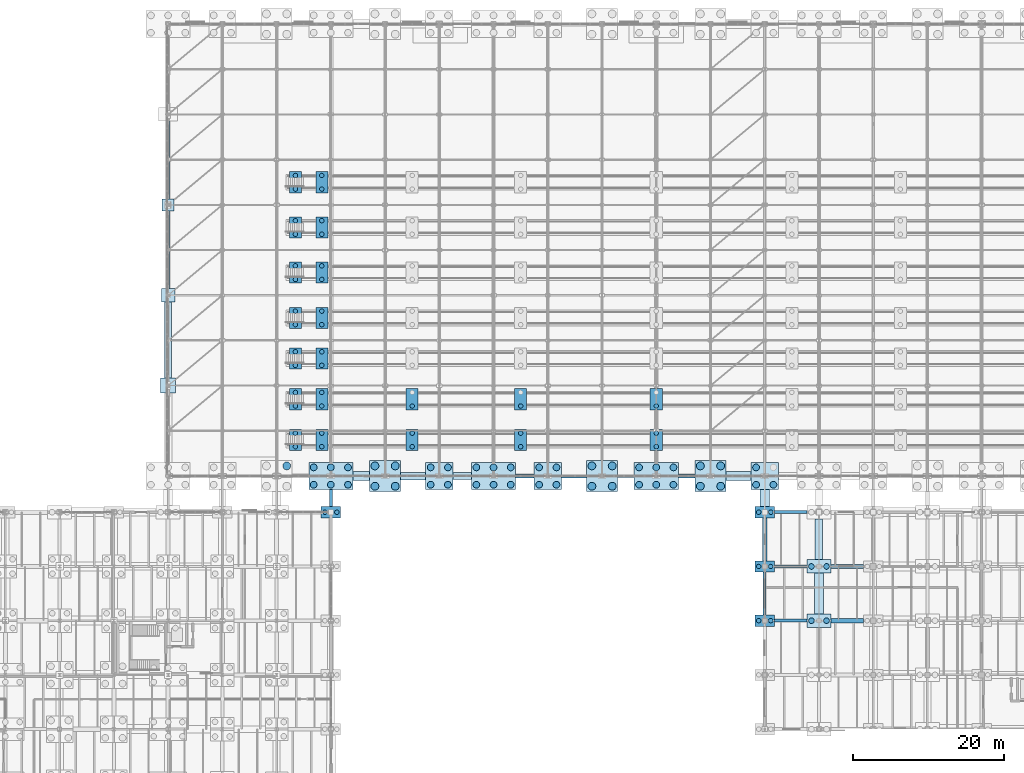
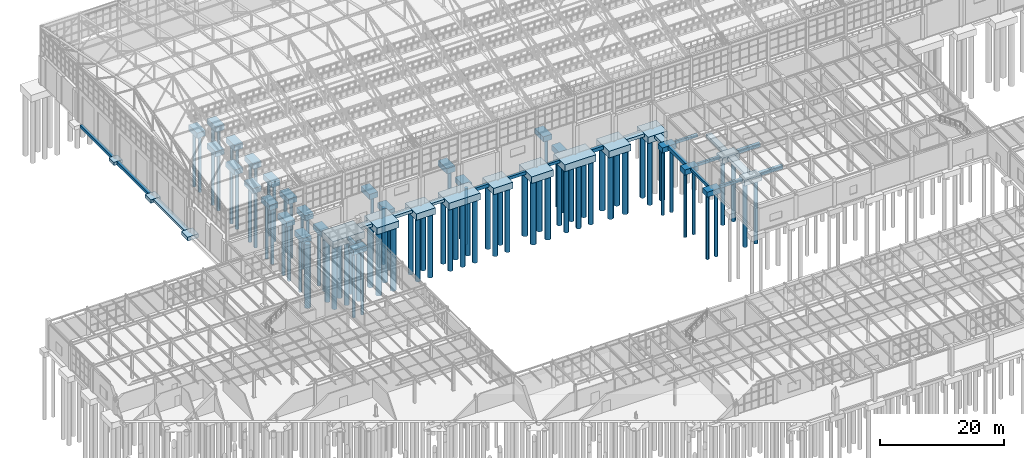
# One storey, part 8 of 293: 91 piles, 60 footings.
"""IFC4 building model written with IfcOpenShell, lengths in metres."""

from ifc_helpers import new_model, si_unit, direction, frame, origin, origin_2d, place, context, subcontext, project, spatial, rectangle, circle, extrude, material, material_profile, profile_set, type_object, element, save


model = new_model("IFC4")

# Units and contexts
model_context = context("Model", 3, precision=1e-05, world=origin(), true_north=direction((0.0, 1.0)))
body_context = subcontext(model_context, "Body", "Model", "MODEL_VIEW")
ifc_project = project(units=[si_unit("LENGTHUNIT", "METRE"), si_unit("AREAUNIT", "SQUARE_METRE"), si_unit("VOLUMEUNIT", "CUBIC_METRE"), si_unit("PLANEANGLEUNIT", "RADIAN"), si_unit("MASSUNIT", "GRAM", prefix="KILO")], contexts=[model_context])

# Site, building, storey
site_placement = place(None, origin())
site = spatial("IfcSite", under=ifc_project, at=site_placement, CompositionType="ELEMENT")
building_placement = place(site_placement, origin())
building = spatial("IfcBuilding", under=site, at=building_placement, Name="Kemerveld Promenade Tramway Depot", CompositionType="ELEMENT")
storey_placement = place(building_placement, origin())
storey = spatial("IfcBuildingStorey", under=building, at=storey_placement, Name="L00", CompositionType="ELEMENT", Elevation=0.0)

# Footings
ifc_material = material(Name="Concrete C35/45", Category="concrete")
footing_type_1 = type_object("IfcFootingType", Name="FT-GB01", PredefinedType="FOOTING_BEAM", material=ifc_material)
footing_1_placement = place(storey_placement, frame((83.362548828125, 84.0, -0.949951171875), z_axis=(0.0, 0.0, 1.0), x_axis=(1.0, 0.0, 0.0)))
element("IfcFooting", 1, at=footing_1_placement, inside=storey, type_object=footing_type_1, Name="GBX-12-13-N", PredefinedType="FOOTING_BEAM", context=body_context, shape_type="SweptSolid", body=[
    extrude(rectangle(XDim=2.47509765625, YDim=0.5, at=origin_2d()), origin(), (0.0, 0.0, 1.0), 0.64990234375),
])
footing_2_placement = place(storey_placement, frame((36.0, 114.050048828125, -0.949951171875), z_axis=(0.0, 0.0, 1.0), x_axis=(0.0, 1.0, 0.0)))
element("IfcFooting", 2, at=footing_2_placement, inside=storey, type_object=footing_type_1, Name="GBY-06-Q-R", PredefinedType="FOOTING_BEAM", context=body_context, shape_type="SweptSolid", body=[
    extrude(rectangle(XDim=10.300048828125, YDim=0.5, at=origin_2d()), origin(), (0.0, 0.0, 1.0), 0.64990234375),
])
footing_type_2 = type_object("IfcFootingType", Name="FT-GB02", PredefinedType="FOOTING_BEAM", material=ifc_material)
footing_3_placement = place(storey_placement, frame((89.875, 84.0, -0.900146484375), z_axis=(0.0, 0.0, 1.0), x_axis=(1.0, 0.0, 0.0)))
element("IfcFooting", 3, at=footing_3_placement, inside=storey, type_object=footing_type_2, Name="GBX-13-14-N", PredefinedType="FOOTING_BEAM", context=body_context, shape_type="SweptSolid", body=[
    extrude(rectangle(XDim=3.35009765625, YDim=0.449951171875, at=origin_2d()), origin(), (0.0, 0.0, 1.0), 0.60009765625),
])
footing_4_placement = place(storey_placement, frame((36.0, 125.949951171875, -0.900146484375), z_axis=(0.0, 0.0, 1.0), x_axis=(0.0, 1.0, 0.0)))
element("IfcFooting", 4, at=footing_4_placement, inside=storey, type_object=footing_type_2, Name="GBY-06-R-S", PredefinedType="FOOTING_BEAM", context=body_context, shape_type="SweptSolid", body=[
    extrude(rectangle(XDim=10.300048828125, YDim=0.449951171875, at=origin_2d()), origin(), (0.0, 0.0, 1.0), 0.60009765625),
])
footing_type_3 = type_object("IfcFootingType", Name="FT-GB03", PredefinedType="FOOTING_BEAM", material=ifc_material)
for number, where, z_axis, x_axis, name in (
    (5, (118.64990234375, 64.800048828125, -0.85009765625), (0.0, 0.0, 1.0), (1.0, 0.0, 0.0), "GBX-17-18-K"),
    (6, (118.64990234375, 72.0, -0.85009765625), (0.0, 0.0, 1.0), (1.0, 0.0, 0.0), "GBX-17-18-L"),
    (7, (118.64990234375, 79.199951171875, -0.85009765625), (0.0, 0.0, 1.0), (1.0, 0.0, 0.0), "GBX-17-18-M"),
):
    element("IfcFooting", number, at=place(storey_placement, frame(where, z_axis=z_axis, x_axis=x_axis)), inside=storey, type_object=footing_type_3, Name=name, PredefinedType="FOOTING_BEAM", context=body_context, shape_type="SweptSolid", body=[
        extrude(rectangle(XDim=4.300048828125, YDim=0.39990234375, at=origin_2d()), origin(), (0.0, 0.0, 1.0), 0.550048828125),
    ])
footing_5_placement = place(storey_placement, frame((96.762451171875, 84.0, -0.85009765625), z_axis=(0.0, 0.0, 1.0), x_axis=(1.0, 0.0, 0.0)))
element("IfcFooting", 8, at=footing_5_placement, inside=storey, type_object=footing_type_3, Name="GBX-14-15-N", PredefinedType="FOOTING_BEAM", context=body_context, shape_type="SweptSolid", body=[
    extrude(rectangle(XDim=2.22509765625, YDim=0.39990234375, at=origin_2d()), origin(), (0.0, 0.0, 1.0), 0.550048828125),
])
footing_6_placement = place(storey_placement, frame((57.60009765625, 81.074951171875, -0.85009765625), z_axis=(0.0, 0.0, 1.0), x_axis=(0.0, 1.0, 0.0)))
element("IfcFooting", 9, at=footing_6_placement, inside=storey, type_object=footing_type_3, Name="GBY-09-M-N", PredefinedType="FOOTING_BEAM", context=body_context, shape_type="SweptSolid", body=[
    extrude(rectangle(XDim=2.25, YDim=0.39990234375, at=origin_2d()), origin(), (0.0, 0.0, 1.0), 0.550048828125),
])
footing_7_placement = place(storey_placement, frame((115.199951171875, 68.39990234375, -0.85009765625), z_axis=(0.0, 0.0, 1.0), x_axis=(0.0, 1.0, 0.0)))
element("IfcFooting", 10, at=footing_7_placement, inside=storey, type_object=footing_type_3, Name="GBY-17-K-L", PredefinedType="FOOTING_BEAM", context=body_context, shape_type="SweptSolid", body=[
    extrude(rectangle(XDim=5.699951171875, YDim=0.39990234375, at=origin_2d()), origin(), (0.0, 0.0, 1.0), 0.550048828125),
])
footing_type_4 = type_object("IfcFootingType", Name="FT-GB04", PredefinedType="FOOTING_BEAM", material=ifc_material)
for number, where, z_axis, x_axis, name in (
    (11, (126.14990234375, 64.800048828125, -1.0), (0.0, 0.0, 1.0), (1.0, 0.0, 0.0), "GBX-18-19-K"),
    (12, (126.14990234375, 72.0, -1.0), (0.0, 0.0, 1.0), (1.0, 0.0, 0.0), "GBX-18-19-L"),
):
    element("IfcFooting", number, at=place(storey_placement, frame(where, z_axis=z_axis, x_axis=x_axis)), inside=storey, type_object=footing_type_4, Name=name, PredefinedType="FOOTING_BEAM", context=body_context, shape_type="SweptSolid", body=[
        extrude(rectangle(XDim=4.300048828125, YDim=0.550048828125, at=origin_2d()), origin(), (0.0, 0.0, 1.0), 0.699951171875),
    ])
footing_8_placement = place(storey_placement, frame((104.83740234375, 84.0, -1.0), z_axis=(0.0, 0.0, 1.0), x_axis=(1.0, 0.0, 0.0)))
element("IfcFooting", 13, at=footing_8_placement, inside=storey, type_object=footing_type_4, Name="GBX-15-16-N", PredefinedType="FOOTING_BEAM", context=body_context, shape_type="SweptSolid", body=[
    extrude(rectangle(XDim=2.22509765625, YDim=0.550048828125, at=origin_2d()), origin(), (0.0, 0.0, 1.0), 0.699951171875),
])
footing_9_placement = place(storey_placement, frame((115.199951171875, 75.60009765625, -1.0), z_axis=(0.0, 0.0, 1.0), x_axis=(0.0, 1.0, 0.0)))
element("IfcFooting", 14, at=footing_9_placement, inside=storey, type_object=footing_type_4, Name="GBY-17-L-M", PredefinedType="FOOTING_BEAM", context=body_context, shape_type="SweptSolid", body=[
    extrude(rectangle(XDim=5.699951171875, YDim=0.550048828125, at=origin_2d()), origin(), (0.0, 0.0, 1.0), 0.699951171875),
])
footing_type_5 = type_object("IfcFootingType", Name="FT-PC01", PredefinedType="PILE_CAP", material=ifc_material)
for number, where, z_axis, x_axis, name in (
    (15, (64.800048828125, 84.0, -1.60009765625), (0.0, 0.0, 1.0), (1.0, 0.0, 0.0), "FT-10-N"),
    (16, (93.60009765625, 84.0, -1.60009765625), (0.0, 0.0, 1.0), (1.0, 0.0, 0.0), "FT-14-N"),
    (17, (108.0, 84.0, -1.60009765625), (0.0, 0.0, 1.0), (1.0, 0.0, 0.0), "FT-16-N"),
):
    element("IfcFooting", number, at=place(storey_placement, frame(where, z_axis=z_axis, x_axis=x_axis)), inside=storey, type_object=footing_type_5, Name=name, PredefinedType="PILE_CAP", context=body_context, shape_type="SweptSolid", body=[
        extrude(rectangle(XDim=4.10009765625, YDim=4.10009765625, at=origin_2d()), origin(), (0.0, 0.0, 1.0), 1.300048828125),
    ])
footing_type_6 = type_object("IfcFootingType", Name="FT-PC02", PredefinedType="PILE_CAP", material=ifc_material)
for number, where, z_axis, x_axis, name in (
    (18, (72.0, 84.0, -1.550048828125), (0.0, 0.0, 1.0), (1.0, 0.0, 0.0), "FT-11-N"),
    (19, (86.39990234375, 84.0, -1.550048828125), (0.0, 0.0, 1.0), (1.0, 0.0, 0.0), "FT-13-N"),
    (20, (115.199951171875, 84.0, -1.550048828125), (0.0, 0.0, 1.0), (1.0, 0.0, 0.0), "FT-17-N"),
):
    element("IfcFooting", number, at=place(storey_placement, frame(where, z_axis=z_axis, x_axis=x_axis)), inside=storey, type_object=footing_type_6, Name=name, PredefinedType="PILE_CAP", context=body_context, shape_type="SweptSolid", body=[
        extrude(rectangle(XDim=3.60009765625, YDim=3.60009765625, at=origin_2d()), origin(), (0.0, 0.0, 1.0), 1.25),
    ])
footing_type_7 = type_object("IfcFootingType", Name="FT-PC06", PredefinedType="PILE_CAP", material=ifc_material)
for number, where, z_axis, x_axis, name in (
    (21, (122.39990234375, 64.800048828125, -1.400146484375), (0.0, 0.0, 1.0), (1.0, 0.0, 0.0), "FT-18-K"),
    (22, (122.39990234375, 72.0, -1.400146484375), (0.0, 0.0, 1.0), (1.0, 0.0, 0.0), "FT-18-L"),
):
    element("IfcFooting", number, at=place(storey_placement, frame(where, z_axis=z_axis, x_axis=x_axis)), inside=storey, type_object=footing_type_7, Name=name, PredefinedType="PILE_CAP", context=body_context, shape_type="SweptSolid", body=[
        extrude(rectangle(XDim=3.199951171875, YDim=1.800048828125, at=origin_2d()), origin(), (0.0, 0.0, 1.0), 1.10009765625),
    ])
footing_type_8 = type_object("IfcFootingType", Name="FT-PC07", PredefinedType="PILE_CAP", material=ifc_material)
for number, where, z_axis, x_axis, name in (
    (23, (52.89990234375, 88.800048828125, -3.0), (0.0, 0.0, 1.0), (1.0, 0.0, 0.0), "FT-PIT-01-01"),
    (24, (56.39990234375, 88.800048828125, -3.0), (0.0, 0.0, 1.0), (1.0, 0.0, 0.0), "FT-PIT-01-02"),
    (25, (68.39990234375, 88.800048828125, -3.0), (0.0, 0.0, 1.0), (1.0, 0.0, 0.0), "FT-PIT-01-03"),
    (26, (82.800048828125, 88.800048828125, -3.0), (0.0, 0.0, 1.0), (1.0, 0.0, 0.0), "FT-PIT-01-04"),
    (27, (100.800048828125, 88.800048828125, -3.0), (0.0, 0.0, 1.0), (1.0, 0.0, 0.0), "FT-PIT-01-05"),
    (28, (52.89990234375, 94.199951171875, -3.0), (0.0, 0.0, 1.0), (1.0, 0.0, 0.0), "FT-PIT-02-01"),
    (29, (56.39990234375, 94.199951171875, -3.0), (0.0, 0.0, 1.0), (1.0, 0.0, 0.0), "FT-PIT-02-02"),
    (30, (68.39990234375, 94.199951171875, -3.0), (0.0, 0.0, 1.0), (1.0, 0.0, 0.0), "FT-PIT-02-03"),
    (31, (82.800048828125, 94.199951171875, -3.0), (0.0, 0.0, 1.0), (1.0, 0.0, 0.0), "FT-PIT-02-04"),
    (32, (100.800048828125, 94.199951171875, -3.0), (0.0, 0.0, 1.0), (1.0, 0.0, 0.0), "FT-PIT-02-05"),
    (33, (52.89990234375, 99.60009765625, -3.0), (0.0, 0.0, 1.0), (1.0, 0.0, 0.0), "FT-PIT-03-01"),
    (34, (56.39990234375, 99.60009765625, -3.0), (0.0, 0.0, 1.0), (1.0, 0.0, 0.0), "FT-PIT-03-02"),
    (35, (52.89990234375, 105.0, -3.0), (0.0, 0.0, 1.0), (1.0, 0.0, 0.0), "FT-PIT-04-01"),
    (36, (56.39990234375, 105.0, -3.0), (0.0, 0.0, 1.0), (1.0, 0.0, 0.0), "FT-PIT-04-02"),
    (37, (52.89990234375, 111.0, -3.0), (0.0, 0.0, 1.0), (1.0, 0.0, 0.0), "FT-PIT-05-01"),
    (38, (56.39990234375, 111.0, -3.0), (0.0, 0.0, 1.0), (1.0, 0.0, 0.0), "FT-PIT-05-02"),
    (39, (52.89990234375, 117.0, -3.0), (0.0, 0.0, 1.0), (1.0, 0.0, 0.0), "FT-PIT-06-01"),
    (40, (56.39990234375, 117.0, -3.0), (0.0, 0.0, 1.0), (1.0, 0.0, 0.0), "FT-PIT-06-02"),
    (41, (52.89990234375, 123.0, -3.0), (0.0, 0.0, 1.0), (1.0, 0.0, 0.0), "FT-PIT-07-01"),
    (42, (56.39990234375, 123.0, -3.0), (0.0, 0.0, 1.0), (1.0, 0.0, 0.0), "FT-PIT-07-02"),
):
    element("IfcFooting", number, at=place(storey_placement, frame(where, z_axis=z_axis, x_axis=x_axis)), inside=storey, type_object=footing_type_8, Name=name, PredefinedType="PILE_CAP", context=body_context, shape_type="SweptSolid", body=[
        extrude(rectangle(XDim=1.60009765625, YDim=2.800048828125, at=origin_2d()), origin(), (0.0, 0.0, 1.0), 1.050048828125),
    ])
footing_type_9 = type_object("IfcFootingType", Name="FT-PC08", PredefinedType="PILE_CAP", material=ifc_material)
for number, where, z_axis, x_axis, name in (
    (43, (57.60009765625, 79.199951171875, -1.300048828125), (0.0, 0.0, 1.0), (1.0, 0.0, 0.0), "FT-09-M"),
    (44, (115.199951171875, 64.800048828125, -1.300048828125), (0.0, 0.0, 1.0), (1.0, 0.0, 0.0), "FT-17-K"),
    (45, (115.199951171875, 72.0, -1.300048828125), (0.0, 0.0, 1.0), (1.0, 0.0, 0.0), "FT-17-L"),
    (46, (115.199951171875, 79.199951171875, -1.300048828125), (0.0, 0.0, 1.0), (1.0, 0.0, 0.0), "FT-17-M"),
):
    element("IfcFooting", number, at=place(storey_placement, frame(where, z_axis=z_axis, x_axis=x_axis)), inside=storey, type_object=footing_type_9, Name=name, PredefinedType="PILE_CAP", context=body_context, shape_type="SweptSolid", body=[
        extrude(rectangle(XDim=2.60009765625, YDim=1.5, at=origin_2d()), origin(), (0.0, 0.0, 1.0), 1.0),
    ])
footing_type_10 = type_object("IfcFootingType", Name="FT-PC09", PredefinedType="PILE_CAP", material=ifc_material)
for number, where, z_axis, x_axis, name in (
    (47, (57.60009765625, 84.0, -1.650146484375), (0.0, 0.0, 1.0), (1.0, 0.0, 0.0), "FT-09-N"),
    (48, (79.199951171875, 84.0, -1.650146484375), (0.0, 0.0, 1.0), (1.0, 0.0, 0.0), "FT-12-N"),
    (49, (100.800048828125, 84.0, -1.650146484375), (0.0, 0.0, 1.0), (1.0, 0.0, 0.0), "FT-15-N"),
):
    element("IfcFooting", number, at=place(storey_placement, frame(where, z_axis=z_axis, x_axis=x_axis)), inside=storey, type_object=footing_type_10, Name=name, PredefinedType="PILE_CAP", context=body_context, shape_type="SweptSolid", body=[
        extrude(rectangle(XDim=5.85009765625, YDim=3.60009765625, at=origin_2d()), origin(), (0.0, 0.0, 1.0), 1.35009765625),
    ])
footing_type_11 = type_object("IfcFootingType", Name="FT-PD03", PredefinedType="PAD_FOOTING", material=ifc_material)
footing_10_placement = place(storey_placement, frame((36.0, 96.0, -1.050048828125), z_axis=(0.0, 0.0, 1.0), x_axis=(1.0, 0.0, 0.0)))
element("IfcFooting", 50, at=footing_10_placement, inside=storey, type_object=footing_type_11, Name="FT-06-P", PredefinedType="PAD_FOOTING", context=body_context, shape_type="SweptSolid", body=[
    extrude(rectangle(XDim=2.0, YDim=2.0, at=origin_2d()), origin(), (0.0, 0.0, 1.0), 0.75),
])
footing_type_12 = type_object("IfcFootingType", Name="FT-PD04", PredefinedType="PAD_FOOTING", material=ifc_material)
footing_11_placement = place(storey_placement, frame((36.0, 108.0, -1.0), z_axis=(0.0, 0.0, 1.0), x_axis=(1.0, 0.0, 0.0)))
element("IfcFooting", 51, at=footing_11_placement, inside=storey, type_object=footing_type_12, Name="FT-06-Q", PredefinedType="PAD_FOOTING", context=body_context, shape_type="SweptSolid", body=[
    extrude(rectangle(XDim=1.800048828125, YDim=1.800048828125, at=origin_2d()), origin(), (0.0, 0.0, 1.0), 0.699951171875),
])
footing_type_13 = type_object("IfcFootingType", Name="FT-PD05", PredefinedType="PAD_FOOTING", material=ifc_material)
footing_12_placement = place(storey_placement, frame((36.0, 120.0, -0.949951171875), z_axis=(0.0, 0.0, 1.0), x_axis=(1.0, 0.0, 0.0)))
element("IfcFooting", 52, at=footing_12_placement, inside=storey, type_object=footing_type_13, Name="FT-06-R", PredefinedType="PAD_FOOTING", context=body_context, shape_type="SweptSolid", body=[
    extrude(rectangle(XDim=1.60009765625, YDim=1.60009765625, at=origin_2d()), origin(), (0.0, 0.0, 1.0), 0.64990234375),
])
footing_type_14 = type_object("IfcFootingType", Name="FT-SF01", PredefinedType="STRIP_FOOTING", material=ifc_material)
footing_13_placement = place(storey_placement, frame((61.637451171875, 84.0, -0.900146484375), z_axis=(0.0, 0.0, 1.0), x_axis=(1.0, 0.0, 0.0)))
element("IfcFooting", 53, at=footing_13_placement, inside=storey, type_object=footing_type_14, Name="GBX-09-10-N", PredefinedType="STRIP_FOOTING", context=body_context, shape_type="SweptSolid", body=[
    extrude(rectangle(XDim=2.22509765625, YDim=1.199951171875, at=origin_2d()), origin(), (0.0, 0.0, 1.0), 0.60009765625),
])
footing_14_placement = place(storey_placement, frame((111.72509765625, 84.0, -0.900146484375), z_axis=(0.0, 0.0, 1.0), x_axis=(1.0, 0.0, 0.0)))
element("IfcFooting", 54, at=footing_14_placement, inside=storey, type_object=footing_type_14, Name="GBX-16-17-N", PredefinedType="STRIP_FOOTING", context=body_context, shape_type="SweptSolid", body=[
    extrude(rectangle(XDim=3.35009765625, YDim=1.199951171875, at=origin_2d()), origin(), (0.0, 0.0, 1.0), 0.60009765625),
])
footing_15_placement = place(storey_placement, frame((115.199951171875, 81.074951171875, -0.900146484375), z_axis=(0.0, 0.0, 1.0), x_axis=(0.0, 1.0, 0.0)))
element("IfcFooting", 55, at=footing_15_placement, inside=storey, type_object=footing_type_14, Name="GBY-17-M-N", PredefinedType="STRIP_FOOTING", context=body_context, shape_type="SweptSolid", body=[
    extrude(rectangle(XDim=2.25, YDim=1.199951171875, at=origin_2d()), origin(), (0.0, 0.0, 1.0), 0.60009765625),
])
footing_16_placement = place(storey_placement, frame((122.39990234375, 68.39990234375, -0.900146484375), z_axis=(0.0, 0.0, 1.0), x_axis=(0.0, 1.0, 0.0)))
element("IfcFooting", 56, at=footing_16_placement, inside=storey, type_object=footing_type_14, Name="GBY-18-K-L", PredefinedType="STRIP_FOOTING", context=body_context, shape_type="SweptSolid", body=[
    extrude(rectangle(XDim=5.39990234375, YDim=1.199951171875, at=origin_2d()), origin(), (0.0, 0.0, 1.0), 0.60009765625),
])
footing_type_15 = type_object("IfcFootingType", Name="FT-SF02", PredefinedType="STRIP_FOOTING", material=ifc_material)
footing_17_placement = place(storey_placement, frame((68.52490234375, 84.0, -0.85009765625), z_axis=(0.0, 0.0, 1.0), x_axis=(1.0, 0.0, 0.0)))
element("IfcFooting", 57, at=footing_17_placement, inside=storey, type_object=footing_type_15, Name="GBX-10-11-N", PredefinedType="STRIP_FOOTING", context=body_context, shape_type="SweptSolid", body=[
    extrude(rectangle(XDim=3.35009765625, YDim=1.0, at=origin_2d()), origin(), (0.0, 0.0, 1.0), 0.550048828125),
])
footing_18_placement = place(storey_placement, frame((122.39990234375, 75.60009765625, -0.85009765625), z_axis=(0.0, 0.0, 1.0), x_axis=(0.0, 1.0, 0.0)))
element("IfcFooting", 58, at=footing_18_placement, inside=storey, type_object=footing_type_15, Name="GBY-18-L-M", PredefinedType="STRIP_FOOTING", context=body_context, shape_type="SweptSolid", body=[
    extrude(rectangle(XDim=5.39990234375, YDim=1.0, at=origin_2d()), origin(), (0.0, 0.0, 1.0), 0.550048828125),
])
footing_type_16 = type_object("IfcFootingType", Name="FT-SF03", PredefinedType="STRIP_FOOTING", material=ifc_material)
footing_19_placement = place(storey_placement, frame((75.03759765625, 84.0, -0.800048828125), z_axis=(0.0, 0.0, 1.0), x_axis=(1.0, 0.0, 0.0)))
element("IfcFooting", 59, at=footing_19_placement, inside=storey, type_object=footing_type_16, Name="GBX-11-12-N", PredefinedType="STRIP_FOOTING", context=body_context, shape_type="SweptSolid", body=[
    extrude(rectangle(XDim=2.47509765625, YDim=0.89990234375, at=origin_2d()), origin(), (0.0, 0.0, 1.0), 0.5),
])
footing_20_placement = place(storey_placement, frame((36.0, 102.050048828125, -0.800048828125), z_axis=(0.0, 0.0, 1.0), x_axis=(0.0, 1.0, 0.0)))
element("IfcFooting", 60, at=footing_20_placement, inside=storey, type_object=footing_type_16, Name="GBY-06-P-Q", PredefinedType="STRIP_FOOTING", context=body_context, shape_type="SweptSolid", body=[
    extrude(rectangle(XDim=10.10009765625, YDim=0.89990234375, at=origin_2d()), origin(), (0.0, 0.0, 1.0), 0.5),
])

# Piles
ifc_material_profile_1 = material_profile(ifc_material, circle(Radius=0.52490234375, at=origin_2d()), Name="PILE-D1050")
ifc_profile_set_1 = profile_set([ifc_material_profile_1], Name="Concrete C35/45")
pile_type_1 = type_object("IfcPileType", Name="PL-BOR-1050", PredefinedType="BORED", material=ifc_profile_set_1)
for number, where, z_axis, x_axis, name in (
    (61, (51.75, 85.35009765625, -1.5), (0.0, 0.0, -1.0), (1.0, 0.0, 0.0), "PIL-08-N-4"),
    (62, (63.449951171875, 82.64990234375, -1.5), (0.0, 0.0, -1.0), (1.0, 0.0, 0.0), "PIL-10-N-1"),
    (63, (66.14990234375, 82.64990234375, -1.5), (0.0, 0.0, -1.0), (1.0, 0.0, 0.0), "PIL-10-N-2"),
    (64, (63.449951171875, 85.35009765625, -1.5), (0.0, 0.0, -1.0), (1.0, 0.0, 0.0), "PIL-10-N-3"),
    (65, (66.14990234375, 85.35009765625, -1.5), (0.0, 0.0, -1.0), (1.0, 0.0, 0.0), "PIL-10-N-4"),
    (66, (92.25, 82.64990234375, -1.5), (0.0, 0.0, -1.0), (1.0, 0.0, 0.0), "PIL-14-N-1"),
    (67, (94.949951171875, 82.64990234375, -1.5), (0.0, 0.0, -1.0), (1.0, 0.0, 0.0), "PIL-14-N-2"),
    (68, (92.25, 85.35009765625, -1.5), (0.0, 0.0, -1.0), (1.0, 0.0, 0.0), "PIL-14-N-3"),
    (69, (94.949951171875, 85.35009765625, -1.5), (0.0, 0.0, -1.0), (1.0, 0.0, 0.0), "PIL-14-N-4"),
    (70, (106.64990234375, 82.64990234375, -1.5), (0.0, 0.0, -1.0), (1.0, 0.0, 0.0), "PIL-16-N-1"),
    (71, (109.35009765625, 82.64990234375, -1.5), (0.0, 0.0, -1.0), (1.0, 0.0, 0.0), "PIL-16-N-2"),
    (72, (106.64990234375, 85.35009765625, -1.5), (0.0, 0.0, -1.0), (1.0, 0.0, 0.0), "PIL-16-N-3"),
    (73, (109.35009765625, 85.35009765625, -1.5), (0.0, 0.0, -1.0), (1.0, 0.0, 0.0), "PIL-16-N-4"),
):
    element("IfcPile", number, at=place(storey_placement, frame(where, z_axis=z_axis, x_axis=x_axis)), inside=storey, type_object=pile_type_1, Name=name, PredefinedType="BORED", context=body_context, shape_type="SweptSolid", body=[
        extrude(circle(Radius=0.52490234375, at=origin_2d()), origin(), (0.0, 0.0, 1.0), 12.5),
    ])
ifc_material_profile_2 = material_profile(ifc_material, circle(Radius=0.300048828125, at=origin_2d()), Name="PILE-D600")
ifc_profile_set_2 = profile_set([ifc_material_profile_2], Name="Concrete C35/45")
pile_type_2 = type_object("IfcPileType", Name="PL-BOR-600", PredefinedType="BORED", material=ifc_profile_set_2)
for number, where, z_axis, x_axis, name in (
    (74, (52.89990234375, 87.89990234375, -2.89990234375), (0.0, 0.0, -1.0), (1.0, 0.0, 0.0), "PIL-PIT-01-01-1"),
    (75, (52.89990234375, 89.699951171875, -2.89990234375), (0.0, 0.0, -1.0), (1.0, 0.0, 0.0), "PIL-PIT-01-01-2"),
    (76, (56.39990234375, 87.89990234375, -2.89990234375), (0.0, 0.0, -1.0), (1.0, 0.0, 0.0), "PIL-PIT-01-02-1"),
    (77, (56.39990234375, 89.699951171875, -2.89990234375), (0.0, 0.0, -1.0), (1.0, 0.0, 0.0), "PIL-PIT-01-02-2"),
    (78, (68.39990234375, 87.89990234375, -2.89990234375), (0.0, 0.0, -1.0), (1.0, 0.0, 0.0), "PIL-PIT-01-03-1"),
    (79, (68.39990234375, 89.699951171875, -2.89990234375), (0.0, 0.0, -1.0), (1.0, 0.0, 0.0), "PIL-PIT-01-03-2"),
    (80, (82.800048828125, 87.89990234375, -2.89990234375), (0.0, 0.0, -1.0), (1.0, 0.0, 0.0), "PIL-PIT-01-04-1"),
    (81, (82.800048828125, 89.699951171875, -2.89990234375), (0.0, 0.0, -1.0), (1.0, 0.0, 0.0), "PIL-PIT-01-04-2"),
    (82, (100.800048828125, 87.89990234375, -2.89990234375), (0.0, 0.0, -1.0), (1.0, 0.0, 0.0), "PIL-PIT-01-05-1"),
    (83, (100.800048828125, 89.699951171875, -2.89990234375), (0.0, 0.0, -1.0), (1.0, 0.0, 0.0), "PIL-PIT-01-05-2"),
    (84, (52.89990234375, 93.300048828125, -2.89990234375), (0.0, 0.0, -1.0), (1.0, 0.0, 0.0), "PIL-PIT-02-01-1"),
    (85, (52.89990234375, 95.10009765625, -2.89990234375), (0.0, 0.0, -1.0), (1.0, 0.0, 0.0), "PIL-PIT-02-01-2"),
    (86, (56.39990234375, 93.300048828125, -2.89990234375), (0.0, 0.0, -1.0), (1.0, 0.0, 0.0), "PIL-PIT-02-02-1"),
    (87, (56.39990234375, 95.10009765625, -2.89990234375), (0.0, 0.0, -1.0), (1.0, 0.0, 0.0), "PIL-PIT-02-02-2"),
    (88, (68.39990234375, 93.300048828125, -2.89990234375), (0.0, 0.0, -1.0), (1.0, 0.0, 0.0), "PIL-PIT-02-03-1"),
    (89, (82.800048828125, 93.300048828125, -2.89990234375), (0.0, 0.0, -1.0), (1.0, 0.0, 0.0), "PIL-PIT-02-04-1"),
    (90, (100.800048828125, 93.300048828125, -2.89990234375), (0.0, 0.0, -1.0), (1.0, 0.0, 0.0), "PIL-PIT-02-05-1"),
    (91, (52.89990234375, 98.699951171875, -2.89990234375), (0.0, 0.0, -1.0), (1.0, 0.0, 0.0), "PIL-PIT-03-01-1"),
    (92, (52.89990234375, 100.5, -2.89990234375), (0.0, 0.0, -1.0), (1.0, 0.0, 0.0), "PIL-PIT-03-01-2"),
    (93, (56.39990234375, 98.699951171875, -2.89990234375), (0.0, 0.0, -1.0), (1.0, 0.0, 0.0), "PIL-PIT-03-02-1"),
    (94, (56.39990234375, 100.5, -2.89990234375), (0.0, 0.0, -1.0), (1.0, 0.0, 0.0), "PIL-PIT-03-02-2"),
    (95, (52.89990234375, 104.10009765625, -2.89990234375), (0.0, 0.0, -1.0), (1.0, 0.0, 0.0), "PIL-PIT-04-01-1"),
    (96, (52.89990234375, 105.89990234375, -2.89990234375), (0.0, 0.0, -1.0), (1.0, 0.0, 0.0), "PIL-PIT-04-01-2"),
    (97, (56.39990234375, 104.10009765625, -2.89990234375), (0.0, 0.0, -1.0), (1.0, 0.0, 0.0), "PIL-PIT-04-02-1"),
    (98, (56.39990234375, 105.89990234375, -2.89990234375), (0.0, 0.0, -1.0), (1.0, 0.0, 0.0), "PIL-PIT-04-02-2"),
    (99, (52.89990234375, 110.10009765625, -2.89990234375), (0.0, 0.0, -1.0), (1.0, 0.0, 0.0), "PIL-PIT-05-01-1"),
    (100, (52.89990234375, 111.89990234375, -2.89990234375), (0.0, 0.0, -1.0), (1.0, 0.0, 0.0), "PIL-PIT-05-01-2"),
    (101, (56.39990234375, 110.10009765625, -2.89990234375), (0.0, 0.0, -1.0), (1.0, 0.0, 0.0), "PIL-PIT-05-02-1"),
    (102, (56.39990234375, 111.89990234375, -2.89990234375), (0.0, 0.0, -1.0), (1.0, 0.0, 0.0), "PIL-PIT-05-02-2"),
    (103, (52.89990234375, 116.10009765625, -2.89990234375), (0.0, 0.0, -1.0), (1.0, 0.0, 0.0), "PIL-PIT-06-01-1"),
    (104, (52.89990234375, 117.89990234375, -2.89990234375), (0.0, 0.0, -1.0), (1.0, 0.0, 0.0), "PIL-PIT-06-01-2"),
    (105, (56.39990234375, 116.10009765625, -2.89990234375), (0.0, 0.0, -1.0), (1.0, 0.0, 0.0), "PIL-PIT-06-02-1"),
    (106, (56.39990234375, 117.89990234375, -2.89990234375), (0.0, 0.0, -1.0), (1.0, 0.0, 0.0), "PIL-PIT-06-02-2"),
    (107, (52.89990234375, 122.10009765625, -2.89990234375), (0.0, 0.0, -1.0), (1.0, 0.0, 0.0), "PIL-PIT-07-01-1"),
    (108, (52.89990234375, 123.89990234375, -2.89990234375), (0.0, 0.0, -1.0), (1.0, 0.0, 0.0), "PIL-PIT-07-01-2"),
    (109, (56.39990234375, 122.10009765625, -2.89990234375), (0.0, 0.0, -1.0), (1.0, 0.0, 0.0), "PIL-PIT-07-02-1"),
    (110, (56.39990234375, 123.89990234375, -2.89990234375), (0.0, 0.0, -1.0), (1.0, 0.0, 0.0), "PIL-PIT-07-02-2"),
):
    element("IfcPile", number, at=place(storey_placement, frame(where, z_axis=z_axis, x_axis=x_axis)), inside=storey, type_object=pile_type_2, Name=name, PredefinedType="BORED", context=body_context, shape_type="SweptSolid", body=[
        extrude(circle(Radius=0.300048828125, at=origin_2d()), origin(), (0.0, 0.0, 1.0), 11.10009765625),
    ])
for number, where, z_axis, x_axis, name in (
    (111, (56.800048828125, 79.199951171875, -1.199951171875), (0.0, 0.0, -1.0), (1.0, 0.0, 0.0), "PIL-09-M-1"),
    (112, (58.39990234375, 79.199951171875, -1.199951171875), (0.0, 0.0, -1.0), (1.0, 0.0, 0.0), "PIL-09-M-2"),
    (113, (114.39990234375, 64.800048828125, -1.199951171875), (0.0, 0.0, -1.0), (1.0, 0.0, 0.0), "PIL-17-K-1"),
    (114, (116.0, 64.800048828125, -1.199951171875), (0.0, 0.0, -1.0), (1.0, 0.0, 0.0), "PIL-17-K-2"),
    (115, (114.39990234375, 72.0, -1.199951171875), (0.0, 0.0, -1.0), (1.0, 0.0, 0.0), "PIL-17-L-1"),
    (116, (116.0, 72.0, -1.199951171875), (0.0, 0.0, -1.0), (1.0, 0.0, 0.0), "PIL-17-L-2"),
    (117, (114.39990234375, 79.199951171875, -1.199951171875), (0.0, 0.0, -1.0), (1.0, 0.0, 0.0), "PIL-17-M-1"),
    (118, (116.0, 79.199951171875, -1.199951171875), (0.0, 0.0, -1.0), (1.0, 0.0, 0.0), "PIL-17-M-2"),
):
    element("IfcPile", number, at=place(storey_placement, frame(where, z_axis=z_axis, x_axis=x_axis)), inside=storey, type_object=pile_type_2, Name=name, PredefinedType="BORED", context=body_context, shape_type="SweptSolid", body=[
        extrude(circle(Radius=0.300048828125, at=origin_2d()), origin(), (0.0, 0.0, 1.0), 12.800048828125),
    ])
ifc_material_profile_3 = material_profile(ifc_material, circle(Radius=0.375, at=origin_2d()), Name="PILE-D750")
ifc_profile_set_3 = profile_set([ifc_material_profile_3], Name="Concrete C35/45")
pile_type_3 = type_object("IfcPileType", Name="PL-BOR-750", PredefinedType="BORED", material=ifc_profile_set_3)
for number, where, z_axis, x_axis, name in (
    (119, (121.39990234375, 64.800048828125, -1.300048828125), (0.0, 0.0, -1.0), (1.0, 0.0, 0.0), "PIL-18-K-1"),
    (120, (123.39990234375, 64.800048828125, -1.300048828125), (0.0, 0.0, -1.0), (1.0, 0.0, 0.0), "PIL-18-K-2"),
    (121, (121.39990234375, 72.0, -1.300048828125), (0.0, 0.0, -1.0), (1.0, 0.0, 0.0), "PIL-18-L-1"),
    (122, (123.39990234375, 72.0, -1.300048828125), (0.0, 0.0, -1.0), (1.0, 0.0, 0.0), "PIL-18-L-2"),
):
    element("IfcPile", number, at=place(storey_placement, frame(where, z_axis=z_axis, x_axis=x_axis)), inside=storey, type_object=pile_type_3, Name=name, PredefinedType="BORED", context=body_context, shape_type="SweptSolid", body=[
        extrude(circle(Radius=0.375, at=origin_2d()), origin(), (0.0, 0.0, 1.0), 12.699951171875),
    ])
ifc_material_profile_4 = material_profile(ifc_material, circle(Radius=0.449951171875, at=origin_2d()), Name="PILE-D900")
ifc_profile_set_4 = profile_set([ifc_material_profile_4], Name="Concrete C35/45")
pile_type_4 = type_object("IfcPileType", Name="PL-BOR-900", PredefinedType="BORED", material=ifc_profile_set_4)
for number, where, z_axis, x_axis, name in (
    (123, (55.320068359375, 82.85009765625, -1.550048828125), (0.0, 0.0, -1.0), (1.0, 0.0, 0.0), "PIL-09-N-1"),
    (124, (57.60009765625, 82.85009765625, -1.550048828125), (0.0, 0.0, -1.0), (1.0, 0.0, 0.0), "PIL-09-N-2"),
    (125, (59.8798828125, 82.85009765625, -1.550048828125), (0.0, 0.0, -1.0), (1.0, 0.0, 0.0), "PIL-09-N-3"),
    (126, (55.320068359375, 85.14990234375, -1.550048828125), (0.0, 0.0, -1.0), (1.0, 0.0, 0.0), "PIL-09-N-4"),
    (127, (57.60009765625, 85.14990234375, -1.550048828125), (0.0, 0.0, -1.0), (1.0, 0.0, 0.0), "PIL-09-N-5"),
    (128, (59.8798828125, 85.14990234375, -1.550048828125), (0.0, 0.0, -1.0), (1.0, 0.0, 0.0), "PIL-09-N-6"),
):
    element("IfcPile", number, at=place(storey_placement, frame(where, z_axis=z_axis, x_axis=x_axis)), inside=storey, type_object=pile_type_4, Name=name, PredefinedType="BORED", context=body_context, shape_type="SweptSolid", body=[
        extrude(circle(Radius=0.449951171875, at=origin_2d()), origin(), (0.0, 0.0, 1.0), 12.449951171875),
    ])
for number, where, z_axis, x_axis, name in (
    (129, (70.85009765625, 82.85009765625, -1.449951171875), (0.0, 0.0, -1.0), (1.0, 0.0, 0.0), "PIL-11-N-1"),
    (130, (73.14990234375, 82.85009765625, -1.449951171875), (0.0, 0.0, -1.0), (1.0, 0.0, 0.0), "PIL-11-N-2"),
    (131, (70.85009765625, 85.14990234375, -1.449951171875), (0.0, 0.0, -1.0), (1.0, 0.0, 0.0), "PIL-11-N-3"),
    (132, (73.14990234375, 85.14990234375, -1.449951171875), (0.0, 0.0, -1.0), (1.0, 0.0, 0.0), "PIL-11-N-4"),
):
    element("IfcPile", number, at=place(storey_placement, frame(where, z_axis=z_axis, x_axis=x_axis)), inside=storey, type_object=pile_type_4, Name=name, PredefinedType="BORED", context=body_context, shape_type="SweptSolid", body=[
        extrude(circle(Radius=0.449951171875, at=origin_2d()), origin(), (0.0, 0.0, 1.0), 12.550048828125),
    ])
for number, where, z_axis, x_axis, name in (
    (133, (76.919921875, 82.85009765625, -1.550048828125), (0.0, 0.0, -1.0), (1.0, 0.0, 0.0), "PIL-12-N-1"),
    (134, (79.199951171875, 82.85009765625, -1.550048828125), (0.0, 0.0, -1.0), (1.0, 0.0, 0.0), "PIL-12-N-2"),
    (135, (81.47998046875, 82.85009765625, -1.550048828125), (0.0, 0.0, -1.0), (1.0, 0.0, 0.0), "PIL-12-N-3"),
    (136, (76.919921875, 85.14990234375, -1.550048828125), (0.0, 0.0, -1.0), (1.0, 0.0, 0.0), "PIL-12-N-4"),
    (137, (79.199951171875, 85.14990234375, -1.550048828125), (0.0, 0.0, -1.0), (1.0, 0.0, 0.0), "PIL-12-N-5"),
    (138, (81.47998046875, 85.14990234375, -1.550048828125), (0.0, 0.0, -1.0), (1.0, 0.0, 0.0), "PIL-12-N-6"),
):
    element("IfcPile", number, at=place(storey_placement, frame(where, z_axis=z_axis, x_axis=x_axis)), inside=storey, type_object=pile_type_4, Name=name, PredefinedType="BORED", context=body_context, shape_type="SweptSolid", body=[
        extrude(circle(Radius=0.449951171875, at=origin_2d()), origin(), (0.0, 0.0, 1.0), 12.449951171875),
    ])
for number, where, z_axis, x_axis, name in (
    (139, (85.25, 82.85009765625, -1.449951171875), (0.0, 0.0, -1.0), (1.0, 0.0, 0.0), "PIL-13-N-1"),
    (140, (87.550048828125, 82.85009765625, -1.449951171875), (0.0, 0.0, -1.0), (1.0, 0.0, 0.0), "PIL-13-N-2"),
    (141, (85.25, 85.14990234375, -1.449951171875), (0.0, 0.0, -1.0), (1.0, 0.0, 0.0), "PIL-13-N-3"),
    (142, (87.550048828125, 85.14990234375, -1.449951171875), (0.0, 0.0, -1.0), (1.0, 0.0, 0.0), "PIL-13-N-4"),
):
    element("IfcPile", number, at=place(storey_placement, frame(where, z_axis=z_axis, x_axis=x_axis)), inside=storey, type_object=pile_type_4, Name=name, PredefinedType="BORED", context=body_context, shape_type="SweptSolid", body=[
        extrude(circle(Radius=0.449951171875, at=origin_2d()), origin(), (0.0, 0.0, 1.0), 12.550048828125),
    ])
for number, where, z_axis, x_axis, name in (
    (143, (98.52001953125, 82.85009765625, -1.550048828125), (0.0, 0.0, -1.0), (1.0, 0.0, 0.0), "PIL-15-N-1"),
    (144, (100.800048828125, 82.85009765625, -1.550048828125), (0.0, 0.0, -1.0), (1.0, 0.0, 0.0), "PIL-15-N-2"),
    (145, (103.080078125, 82.85009765625, -1.550048828125), (0.0, 0.0, -1.0), (1.0, 0.0, 0.0), "PIL-15-N-3"),
    (146, (98.52001953125, 85.14990234375, -1.550048828125), (0.0, 0.0, -1.0), (1.0, 0.0, 0.0), "PIL-15-N-4"),
    (147, (100.800048828125, 85.14990234375, -1.550048828125), (0.0, 0.0, -1.0), (1.0, 0.0, 0.0), "PIL-15-N-5"),
    (148, (103.080078125, 85.14990234375, -1.550048828125), (0.0, 0.0, -1.0), (1.0, 0.0, 0.0), "PIL-15-N-6"),
):
    element("IfcPile", number, at=place(storey_placement, frame(where, z_axis=z_axis, x_axis=x_axis)), inside=storey, type_object=pile_type_4, Name=name, PredefinedType="BORED", context=body_context, shape_type="SweptSolid", body=[
        extrude(circle(Radius=0.449951171875, at=origin_2d()), origin(), (0.0, 0.0, 1.0), 12.449951171875),
    ])
for number, where, z_axis, x_axis, name in (
    (149, (114.050048828125, 82.85009765625, -1.449951171875), (0.0, 0.0, -1.0), (1.0, 0.0, 0.0), "PIL-17-N-1"),
    (150, (116.35009765625, 82.85009765625, -1.449951171875), (0.0, 0.0, -1.0), (1.0, 0.0, 0.0), "PIL-17-N-2"),
    (151, (114.050048828125, 85.14990234375, -1.449951171875), (0.0, 0.0, -1.0), (1.0, 0.0, 0.0), "PIL-17-N-3"),
):
    element("IfcPile", number, at=place(storey_placement, frame(where, z_axis=z_axis, x_axis=x_axis)), inside=storey, type_object=pile_type_4, Name=name, PredefinedType="BORED", context=body_context, shape_type="SweptSolid", body=[
        extrude(circle(Radius=0.449951171875, at=origin_2d()), origin(), (0.0, 0.0, 1.0), 12.550048828125),
    ])

save(model, "model.ifc")
